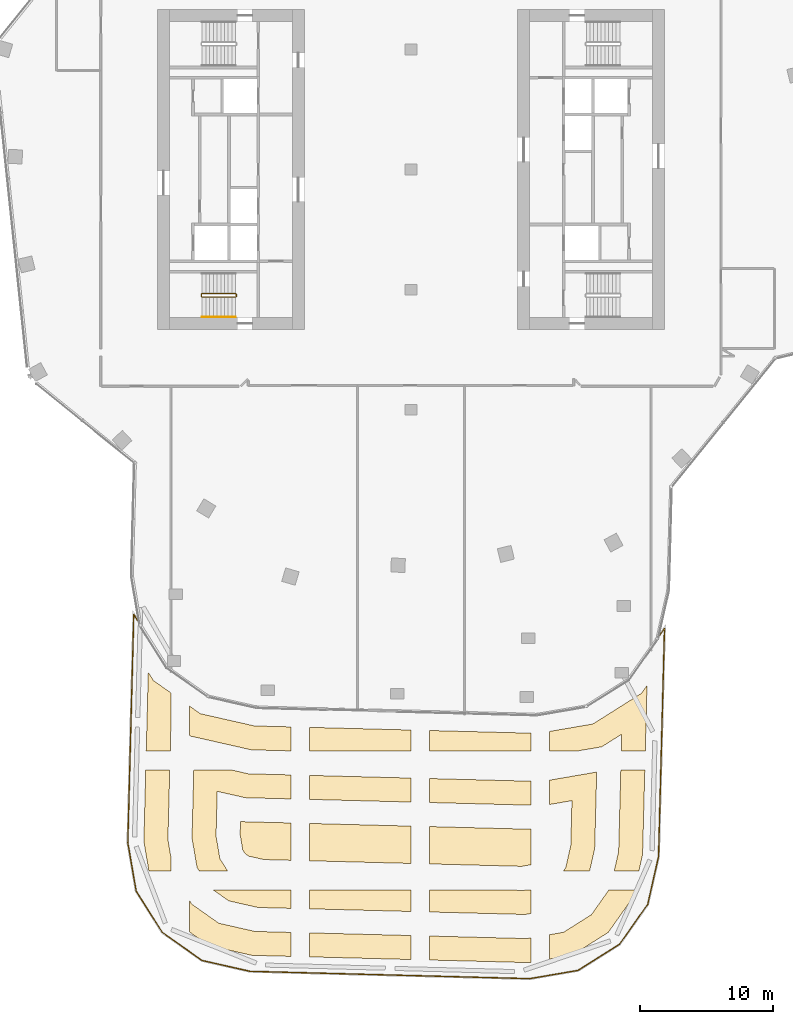
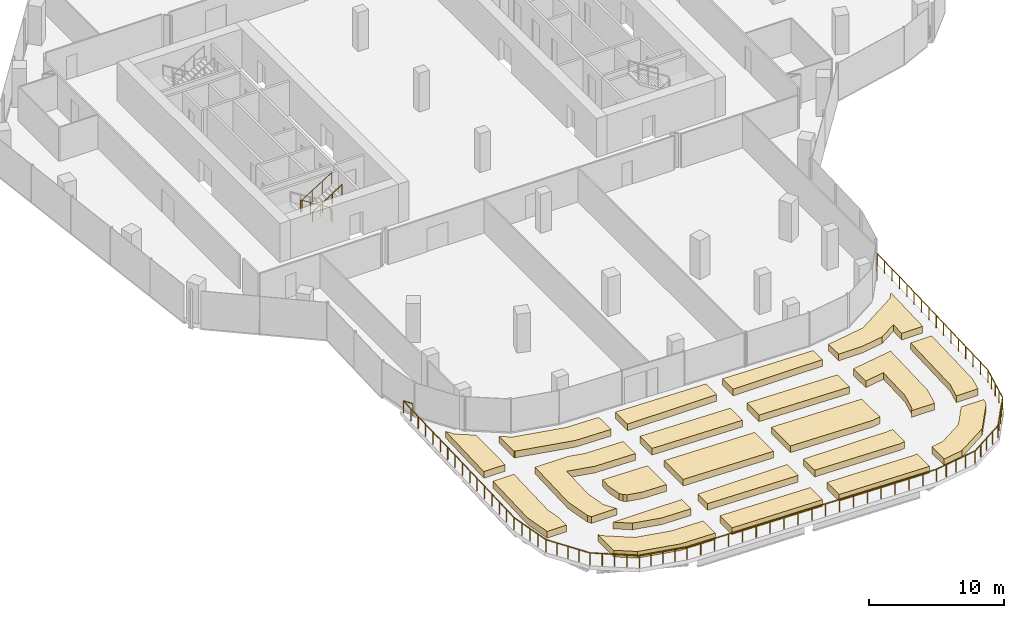
# One storey, part 22 of 25: 21 coverings, 3 railings.
"""IFC4 building model written with IfcOpenShell, lengths in metres."""

from ifc_helpers import new_model, si_unit, direction, frame, origin, origin_2d, place, context, subcontext, project, spatial, polyline, circle, outline, extrude, material, layer, layer_set, type_object, element, save


model = new_model("IFC4")

# Units and contexts
model_context = context("Model", 3, precision=1e-05, world=origin(), true_north=direction((0.0, 1.0)))
body_context = subcontext(model_context, "Body", "Model", "MODEL_VIEW")
ifc_project = project(units=[si_unit("LENGTHUNIT", "METRE"), si_unit("AREAUNIT", "SQUARE_METRE"), si_unit("VOLUMEUNIT", "CUBIC_METRE"), si_unit("PLANEANGLEUNIT", "RADIAN"), si_unit("MASSUNIT", "GRAM", prefix="KILO")], contexts=[model_context])

# Site, building, storey
site_placement = place(None, origin())
site = spatial("IfcSite", under=ifc_project, at=site_placement, CompositionType="ELEMENT")
building_placement = place(site_placement, origin())
building = spatial("IfcBuilding", under=site, at=building_placement, Name="Orlundy Tower", CompositionType="ELEMENT")
storey_placement = place(building_placement, frame((0.0, 0.0, 217.5)))
storey = spatial("IfcBuildingStorey", under=building, at=storey_placement, Name="L57", CompositionType="ELEMENT", Elevation=217.5)

# Coverings
ifc_material_1 = material(Name="Planted soil in precast concrete trough", Category="concrete")
ifc_layer = layer(ifc_material_1, 0.60009765625)
ifc_layer_set = layer_set([ifc_layer], Name="PLANTER box")
covering_type = type_object("IfcCoveringType", Name="PLANTER box", PredefinedType="USERDEFINED", material=ifc_layer_set)
covering_1_placement = place(storey_placement, origin())
element("IfcCovering", 1, at=covering_1_placement, inside=storey, type_object=covering_type, Name="PLANTER L57-00", ObjectType="PLANTER", PredefinedType="USERDEFINED", context=body_context, shape_type="SweptSolid", body=[
    extrude(outline(polyline([(-20.02490234375, -50.364990234375), (-19.884033203125, -45.0), (-18.083984375, -45.0), (-18.220947265625, -50.235107421875), (-18.0, -51.52294921875), (-18.0, -52.60009765625), (-19.64111328125, -52.60009765625), (-20.02490234375, -50.364990234375)])), origin(), (0.0, 0.0, 1.0), 0.60009765625),
])
covering_2_placement = place(storey_placement, origin())
element("IfcCovering", 2, at=covering_2_placement, inside=storey, type_object=covering_type, Name="PLANTER L57-01", ObjectType="PLANTER", PredefinedType="USERDEFINED", context=body_context, shape_type="SweptSolid", body=[
    extrude(outline(polyline([(-19.693115234375, -37.696044921875), (-19.30810546875, -38.306884765625), (-18.0, -39.23095703125), (-18.0, -41.785888671875), (-18.047119140625, -43.60009765625), (-19.847900390625, -43.60009765625), (-19.693115234375, -37.696044921875)])), origin(), (0.0, 0.0, 1.0), 0.60009765625),
])
covering_3_placement = place(storey_placement, origin())
element("IfcCovering", 3, at=covering_3_placement, inside=storey, type_object=covering_type, Name="PLANTER L57-02", ObjectType="PLANTER", PredefinedType="USERDEFINED", context=body_context, shape_type="SweptSolid", body=[
    extrude(outline(polyline([(-11.9189453125, -58.907958984375), (-15.156005859375, -58.175048828125), (-16.60009765625, -57.155029296875), (-16.60009765625, -54.802001953125), (-16.429931640625, -55.072021484375), (-14.409912109375, -56.498046875), (-11.695068359375, -57.113037109375), (-9.0, -57.18408203125), (-9.0, -58.98388671875), (-11.9189453125, -58.907958984375)])), origin(), (0.0, 0.0, 1.0), 0.60009765625),
])
covering_4_placement = place(storey_placement, origin())
element("IfcCovering", 4, at=covering_4_placement, inside=storey, type_object=covering_type, Name="PLANTER L57-03", ObjectType="PLANTER", PredefinedType="USERDEFINED", context=body_context, shape_type="SweptSolid", body=[
    extrude(outline(polyline([(-15.7939453125, -40.7900390625), (-11.743896484375, -41.70703125), (-9.0, -41.779052734375), (-9.0, -43.580078125), (-11.968017578125, -43.501953125), (-16.5400390625, -42.467041015625), (-16.60009765625, -42.425048828125), (-16.60009765625, -40.219970703125), (-15.7939453125, -40.7900390625)])), origin(), (0.0, 0.0, 1.0), 0.60009765625),
])
covering_5_placement = place(storey_placement, origin())
element("IfcCovering", 5, at=covering_5_placement, inside=storey, type_object=covering_type, Name="PLANTER L57-04", ObjectType="PLANTER", PredefinedType="USERDEFINED", context=body_context, shape_type="SweptSolid", body=[
    extrude(outline(polyline([(0.0, -42.013916015625), (0.0, -43.60009765625), (-7.60009765625, -43.60009765625), (-7.60009765625, -41.81494140625), (0.0, -42.013916015625)])), origin(), (0.0, 0.0, 1.0), 0.60009765625),
])
covering_6_placement = place(storey_placement, origin())
element("IfcCovering", 6, at=covering_6_placement, inside=storey, type_object=covering_type, Name="PLANTER L57-05", ObjectType="PLANTER", PredefinedType="USERDEFINED", context=body_context, shape_type="SweptSolid", body=[
    extrude(outline(polyline([(-7.60009765625, -59.02099609375), (-7.60009765625, -57.219970703125), (0.0, -57.4189453125), (0.0, -59.219970703125), (-7.60009765625, -59.02099609375)])), origin(), (0.0, 0.0, 1.0), 0.60009765625),
])
covering_7_placement = place(storey_placement, origin())
element("IfcCovering", 7, at=covering_7_placement, inside=storey, type_object=covering_type, Name="PLANTER L57-06", ObjectType="PLANTER", PredefinedType="USERDEFINED", context=body_context, shape_type="SweptSolid", body=[
    extrude(outline(polyline([(9.0, -42.25), (9.0, -43.60009765625), (1.39990234375, -43.60009765625), (1.39990234375, -42.051025390625), (9.0, -42.25)])), origin(), (0.0, 0.0, 1.0), 0.60009765625),
])
covering_8_placement = place(storey_placement, origin())
element("IfcCovering", 8, at=covering_8_placement, inside=storey, type_object=covering_type, Name="PLANTER L57-07", ObjectType="PLANTER", PredefinedType="USERDEFINED", context=body_context, shape_type="SweptSolid", body=[
    extrude(outline(polyline([(8.819091796875, -59.450927734375), (1.39990234375, -59.257080078125), (1.39990234375, -57.4560546875), (8.68896484375, -57.64697265625), (9.0, -57.593994140625), (9.0, -59.419921875), (8.819091796875, -59.450927734375)])), origin(), (0.0, 0.0, 1.0), 0.60009765625),
])
covering_9_placement = place(storey_placement, origin())
element("IfcCovering", 9, at=covering_9_placement, inside=storey, type_object=covering_type, Name="PLANTER L57-08", ObjectType="PLANTER", PredefinedType="USERDEFINED", context=body_context, shape_type="SweptSolid", body=[
    extrude(outline(polyline([(14.7890625, -57.18701171875), (12.091064453125, -58.888916015625), (10.39990234375, -59.178955078125), (10.39990234375, -57.35302734375), (11.43310546875, -57.176025390625), (13.52587890625, -55.85595703125), (14.8359375, -54.0), (16.760986328125, -54.0), (16.62890625, -54.58203125), (14.7890625, -57.18701171875)])), origin(), (0.0, 0.0, 1.0), 0.60009765625),
])
covering_10_placement = place(storey_placement, origin())
element("IfcCovering", 10, at=covering_10_placement, inside=storey, type_object=covering_type, Name="PLANTER L57-09", ObjectType="PLANTER", PredefinedType="USERDEFINED", context=body_context, shape_type="SweptSolid", body=[
    extrude(outline(polyline([(13.636962890625, -41.56103515625), (17.277099609375, -39.263916015625), (17.693115234375, -38.676025390625), (17.56396484375, -43.60009765625), (15.763916015625, -43.60009765625), (15.797119140625, -42.325927734375), (14.294921875, -43.27392578125), (12.39794921875, -43.60009765625), (10.39990234375, -43.60009765625), (10.39990234375, -42.116943359375), (13.636962890625, -41.56103515625)])), origin(), (0.0, 0.0, 1.0), 0.60009765625),
])
covering_11_placement = place(storey_placement, origin())
element("IfcCovering", 11, at=covering_11_placement, inside=storey, type_object=covering_type, Name="PLANTER L57-010", ObjectType="PLANTER", PredefinedType="USERDEFINED", context=body_context, shape_type="SweptSolid", body=[
    extrude(outline(polyline([(17.362060546875, -51.344970703125), (17.077880859375, -52.60009765625), (15.23193359375, -52.60009765625), (15.56689453125, -51.12109375), (15.72705078125, -45.0), (17.528076171875, -45.0), (17.362060546875, -51.344970703125)])), origin(), (0.0, 0.0, 1.0), 0.60009765625),
])
covering_12_placement = place(storey_placement, origin())
element("IfcCovering", 12, at=covering_12_placement, inside=storey, type_object=covering_type, Name="PLANTER L57-011", ObjectType="PLANTER", PredefinedType="USERDEFINED", context=body_context, shape_type="SweptSolid", body=[
    extrude(outline(polyline([(-9.0, -45.3798828125), (-9.0, -47.179931640625), (-12.4169921875, -47.091064453125), (-14.52490234375, -46.614013671875), (-14.613037109375, -49.97509765625), (-14.322998046875, -51.6640625), (-13.76708984375, -52.544921875), (-13.68896484375, -52.60009765625), (-15.861083984375, -52.60009765625), (-16.035888671875, -52.322021484375), (-16.4169921875, -50.10498046875), (-16.282958984375, -45.0), (-13.5009765625, -45.0), (-12.193115234375, -45.2958984375), (-9.0, -45.3798828125)])), origin(), (0.0, 0.0, 1.0), 0.60009765625),
])
covering_13_placement = place(storey_placement, origin())
element("IfcCovering", 13, at=covering_13_placement, inside=storey, type_object=covering_type, Name="PLANTER L57-012", ObjectType="PLANTER", PredefinedType="USERDEFINED", context=body_context, shape_type="SweptSolid", body=[
    extrude(outline(polyline([(-11.469970703125, -55.319091796875), (-13.6630859375, -54.822021484375), (-14.826904296875, -54.0), (-9.0, -54.0), (-9.0, -55.384033203125), (-11.469970703125, -55.319091796875)])), origin(), (0.0, 0.0, 1.0), 0.60009765625),
])
covering_14_placement = place(storey_placement, origin())
element("IfcCovering", 14, at=covering_14_placement, inside=storey, type_object=covering_type, Name="PLANTER L57-013", ObjectType="PLANTER", PredefinedType="USERDEFINED", context=body_context, shape_type="SweptSolid", body=[
    extrude(outline(polyline([(0.0, -45.614990234375), (0.0, -47.416015625), (-7.60009765625, -47.217041015625), (-7.60009765625, -45.416015625), (0.0, -45.614990234375)])), origin(), (0.0, 0.0, 1.0), 0.60009765625),
])
covering_15_placement = place(storey_placement, origin())
element("IfcCovering", 15, at=covering_15_placement, inside=storey, type_object=covering_type, Name="PLANTER L57-014", ObjectType="PLANTER", PredefinedType="USERDEFINED", context=body_context, shape_type="SweptSolid", body=[
    extrude(outline(polyline([(-7.60009765625, -55.419921875), (-7.60009765625, -54.0), (0.0, -54.0), (0.0, -55.618896484375), (-7.60009765625, -55.419921875)])), origin(), (0.0, 0.0, 1.0), 0.60009765625),
])
covering_16_placement = place(storey_placement, origin())
element("IfcCovering", 16, at=covering_16_placement, inside=storey, type_object=covering_type, Name="PLANTER L57-015", ObjectType="PLANTER", PredefinedType="USERDEFINED", context=body_context, shape_type="SweptSolid", body=[
    extrude(outline(polyline([(9.0, -45.85107421875), (9.0, -47.652099609375), (1.39990234375, -47.452880859375), (1.39990234375, -45.652099609375), (9.0, -45.85107421875)])), origin(), (0.0, 0.0, 1.0), 0.60009765625),
])
covering_17_placement = place(storey_placement, origin())
element("IfcCovering", 17, at=covering_17_placement, inside=storey, type_object=covering_type, Name="PLANTER L57-016", ObjectType="PLANTER", PredefinedType="USERDEFINED", context=body_context, shape_type="SweptSolid", body=[
    extrude(outline(polyline([(8.55908203125, -55.843017578125), (1.39990234375, -55.656005859375), (1.39990234375, -54.0), (6.93896484375, -54.0), (8.428955078125, -54.0390625), (8.656005859375, -54.0), (9.0, -54.0), (9.0, -55.76708984375), (8.55908203125, -55.843017578125)])), origin(), (0.0, 0.0, 1.0), 0.60009765625),
])
covering_18_placement = place(storey_placement, origin())
element("IfcCovering", 18, at=covering_18_placement, inside=storey, type_object=covering_type, Name="PLANTER L57-017", ObjectType="PLANTER", PredefinedType="USERDEFINED", context=body_context, shape_type="SweptSolid", body=[
    extrude(outline(polyline([(13.922119140625, -45.1650390625), (13.77197265625, -50.89599609375), (13.386962890625, -52.60009765625), (11.41796875, -52.60009765625), (11.59912109375, -52.343017578125), (11.97802734375, -50.672119140625), (12.06591796875, -47.31005859375), (10.39990234375, -47.595947265625), (10.39990234375, -45.77001953125), (13.922119140625, -45.1650390625)])), origin(), (0.0, 0.0, 1.0), 0.60009765625),
])
covering_19_placement = place(storey_placement, origin())
element("IfcCovering", 19, at=covering_19_placement, inside=storey, type_object=covering_type, Name="PLANTER L57-018", ObjectType="PLANTER", PredefinedType="USERDEFINED", context=body_context, shape_type="SweptSolid", body=[
    extrude(outline(polyline([(-12.64208984375, -48.885986328125), (-9.0, -48.98095703125), (-9.0, -51.781982421875), (-11.02099609375, -51.72900390625), (-12.1708984375, -51.468994140625), (-12.43603515625, -51.281005859375), (-12.60888671875, -51.007080078125), (-12.80908203125, -49.844970703125), (-12.782958984375, -48.85400390625), (-12.64208984375, -48.885986328125)])), origin(), (0.0, 0.0, 1.0), 0.60009765625),
])
covering_20_placement = place(storey_placement, origin())
element("IfcCovering", 20, at=covering_20_placement, inside=storey, type_object=covering_type, Name="PLANTER L57-019", ObjectType="PLANTER", PredefinedType="USERDEFINED", context=body_context, shape_type="SweptSolid", body=[
    extrude(outline(polyline([(0.0, -49.217041015625), (0.0, -52.01806640625), (-7.60009765625, -51.819091796875), (-7.60009765625, -49.01806640625), (0.0, -49.217041015625)])), origin(), (0.0, 0.0, 1.0), 0.60009765625),
])
covering_21_placement = place(storey_placement, origin())
element("IfcCovering", 21, at=covering_21_placement, inside=storey, type_object=covering_type, Name="PLANTER L57-020", ObjectType="PLANTER", PredefinedType="USERDEFINED", context=body_context, shape_type="SweptSolid", body=[
    extrude(outline(polyline([(9.0, -49.451904296875), (9.0, -52.114013671875), (8.299072265625, -52.235107421875), (1.39990234375, -52.053955078125), (1.39990234375, -49.2529296875), (9.0, -49.451904296875)])), origin(), (0.0, 0.0, 1.0), 0.60009765625),
])

# Railings
ifc_material_2 = material(Name="Steel balustrade", Category="steel")
railing_type_1 = type_object("IfcRailingType", Name="Stair Guard 1100", PredefinedType="GUARDRAIL", material=ifc_material_2)
railing_1_placement = place(storey_placement, frame((-13.090087890625, -9.35009765625, 0.0)))
element("IfcRailing", 22, at=railing_1_placement, inside=storey, type_object=railing_type_1, Name="L57 ST-W2 stair guard 1", PredefinedType="GUARDRAIL", context=body_context, shape_type="SweptSolid", body=[
    extrude(circle(Radius=0.02392578125, at=origin_2d()), frame((0.0, 0.0, 1.076171875), z_axis=(0.0, -1.0, 0.0), x_axis=(1.0, 0.0, 0.0)), (0.0, 0.0, 1.0), 0.14990234375),
    extrude(circle(Radius=0.02392578125, at=origin_2d()), frame((0.0, -0.14990234375, 1.076171875), z_axis=(-0.18420542264, 0.739530593833, 0.647427882513), x_axis=(-0.970351222016, -0.241699205484, 0.0)), (0.0, 0.0, 1.0), 0.270263671875),
    extrude(circle(Radius=0.02392578125, at=origin_2d()), frame((-0.0498046875, 0.050048828125, 1.2509765625), z_axis=(-0.848007534815, 0.0, 0.529984170421), x_axis=(0.0, -1.0, 0.0)), (0.0, 0.0, 1.0), 2.9716796875),
    extrude(circle(Radius=0.02392578125, at=origin_2d()), frame((-2.56982421875, 0.050048828125, 2.826171875), z_axis=(-0.707106781187, -0.707106781187, 0.0), x_axis=(0.707106781187, -0.707106781187, 0.0)), (0.0, 0.0, 1.0), 0.07080078125),
    extrude(circle(Radius=0.02392578125, at=origin_2d()), frame((-2.619873046875, 0.0, 2.826171875), z_axis=(0.0, -1.0, 0.0), x_axis=(1.0, 0.0, 0.0)), (0.0, 0.0, 1.0), 0.14990234375),
    extrude(circle(Radius=0.02392578125, at=origin_2d()), frame((-2.619873046875, -0.14990234375, 2.826171875), z_axis=(0.265065253269, -0.265065253269, 0.927081885822), x_axis=(0.707106781187, 0.707106781187, 0.0)), (0.0, 0.0, 1.0), 0.188720703125),
    extrude(circle(Radius=0.02392578125, at=origin_2d()), frame((-2.56982421875, -0.199951171875, 3.0009765625), z_axis=(0.848007534815, 0.0, 0.529984170421), x_axis=(0.0, 1.0, 0.0)), (0.0, 0.0, 1.0), 2.9716796875),
    extrude(circle(Radius=0.02099609375, at=origin_2d()), origin(), (0.0, 0.0, 1.0), 1.052001953125),
    extrude(circle(Radius=0.02099609375, at=origin_2d()), frame((0.0, -0.14990234375, 0.0)), (0.0, 0.0, 1.0), 1.052001953125),
    extrude(circle(Radius=0.02099609375, at=origin_2d()), frame((-0.0498046875, 0.050048828125, 0.175048828125)), (0.0, 0.0, 1.0), 1.052001953125),
    extrude(circle(Radius=0.02099609375, at=origin_2d()), frame((-0.889892578125, 0.050048828125, 0.699951171875)), (0.0, 0.0, 1.0), 1.052001953125),
    extrude(circle(Radius=0.02099609375, at=origin_2d()), frame((-1.729736328125, 0.050048828125, 1.22509765625)), (0.0, 0.0, 1.0), 1.052001953125),
    extrude(circle(Radius=0.02099609375, at=origin_2d()), frame((-2.56982421875, 0.050048828125, 1.75)), (0.0, 0.0, 1.0), 1.052001953125),
    extrude(circle(Radius=0.02099609375, at=origin_2d()), frame((-2.619873046875, 0.0, 1.75)), (0.0, 0.0, 1.0), 1.052001953125),
    extrude(circle(Radius=0.02099609375, at=origin_2d()), frame((-2.619873046875, -0.14990234375, 1.75)), (0.0, 0.0, 1.0), 1.052001953125),
    extrude(circle(Radius=0.02099609375, at=origin_2d()), frame((-2.56982421875, -0.199951171875, 1.925048828125)), (0.0, 0.0, 1.0), 1.052001953125),
    extrude(circle(Radius=0.02099609375, at=origin_2d()), frame((-1.729736328125, -0.199951171875, 2.449951171875)), (0.0, 0.0, 1.0), 1.052001953125),
    extrude(circle(Radius=0.02099609375, at=origin_2d()), frame((-0.889892578125, -0.199951171875, 2.97509765625)), (0.0, 0.0, 1.0), 1.052001953125),
    extrude(circle(Radius=0.02099609375, at=origin_2d()), frame((-0.0498046875, -0.199951171875, 3.5)), (0.0, 0.0, 1.0), 1.052001953125),
])
ifc_material_3 = material(Name="Steel handrail", Category="steel")
railing_type_2 = type_object("IfcRailingType", Name="Stair Handrail 900", PredefinedType="HANDRAIL", material=ifc_material_3)
railing_2_placement = place(storey_placement, frame((-15.659912109375, -11.050048828125, 1.925048828125)))
element("IfcRailing", 23, at=railing_2_placement, inside=storey, type_object=railing_type_2, Name="L57 ST-W2 stair handrail 2", PredefinedType="HANDRAIL", context=body_context, shape_type="SweptSolid", body=[
    extrude(circle(Radius=0.02392578125, at=origin_2d()), frame((0.0, 0.0, 0.8759765625), z_axis=(0.848007534815, 0.0, 0.529984170421), x_axis=(0.0, 1.0, 0.0)), (0.0, 0.0, 1.0), 2.9716796875),
    extrude(circle(Radius=0.02099609375, at=origin_2d()), origin(), (0.0, 0.0, 1.0), 0.851806640625),
    extrude(circle(Radius=0.02099609375, at=origin_2d()), frame((0.840087890625, 0.0, 0.52490234375)), (0.0, 0.0, 1.0), 0.851806640625),
    extrude(circle(Radius=0.02099609375, at=origin_2d()), frame((1.679931640625, 0.0, 1.050048828125)), (0.0, 0.0, 1.0), 0.851806640625),
    extrude(circle(Radius=0.02099609375, at=origin_2d()), frame((2.52001953125, 0.0, 1.574951171875)), (0.0, 0.0, 1.0), 0.851806640625),
])
ifc_material_4 = material(Name="Stainless steel bronze finish", Category="steel")
railing_type_3 = type_object("IfcRailingType", Name="TG1 terrace guard", PredefinedType="GUARDRAIL", material=ifc_material_4)
railing_3_placement = place(storey_placement, frame((18.547119140625, -35.04345703125, 0.0)))
element("IfcRailing", 24, at=railing_3_placement, inside=storey, type_object=railing_type_3, Name="Guard TG-L57-00", PredefinedType="GUARDRAIL", context=body_context, shape_type="SweptSolid", body=[
    extrude(circle(Radius=0.02490234375, at=origin_2d()), frame((0.0, 0.0, 1.09521484375), z_axis=(0.577299530639, 0.816532456136, 0.0), x_axis=(-0.816532456136, 0.577299530639, 0.0)), (0.0, 0.0, 1.0), 0.79296875),
    extrude(circle(Radius=0.02490234375, at=origin_2d()), frame((0.457763671875, 0.6474609375, 1.09521484375), z_axis=(-0.026119758449, -0.999658820908, 0.0), x_axis=(0.999658820908, -0.026119758449, 0.0)), (0.0, 0.0, 1.0), 17.10498046875),
    extrude(circle(Radius=0.02490234375, at=origin_2d()), frame((0.010986328125, -16.45166015625, 1.09521484375), z_axis=(-0.220656364615, -0.975351612884, 0.0), x_axis=(0.975351612884, -0.220656364615, 0.0)), (0.0, 0.0, 1.0), 3.675537109375),
    extrude(circle(Radius=0.02490234375, at=origin_2d()), frame((-0.800048828125, -20.03662109375, 1.09521484375), z_axis=(-0.577161553278, -0.816629990521, 0.0), x_axis=(0.816629990521, -0.577161553278, 0.0)), (0.0, 0.0, 1.0), 3.666259765625),
    extrude(circle(Radius=0.02490234375, at=origin_2d()), frame((-2.916015625, -23.030517578125, 1.09521484375), z_axis=(-0.845754524702, -0.533572191879, 0.0), x_axis=(0.533572191879, -0.845754524702, 0.0)), (0.0, 0.0, 1.0), 3.667724609375),
    extrude(circle(Radius=0.02490234375, at=origin_2d()), frame((-6.01806640625, -24.987548828125, 1.09521484375), z_axis=(-0.985533642405, -0.169479909395, 0.0), x_axis=(0.169479909395, -0.985533642405, 0.0)), (0.0, 0.0, 1.0), 3.67626953125),
    extrude(circle(Radius=0.02490234375, at=origin_2d()), frame((-9.64111328125, -25.610595703125, 1.09521484375), z_axis=(-0.999656330823, 0.026214885971, 0.0), x_axis=(-0.026214885971, -0.999656330823, 0.0)), (0.0, 0.0, 1.0), 20.982421875),
    extrude(circle(Radius=0.02490234375, at=origin_2d()), frame((-30.6162109375, -25.060546875, 1.09521484375), z_axis=(-0.975351612884, 0.220656364615, 0.0), x_axis=(-0.220656364615, -0.975351612884, 0.0)), (0.0, 0.0, 1.0), 3.675537109375),
    extrude(circle(Radius=0.02490234375, at=origin_2d()), frame((-34.201171875, -24.24951171875, 1.09521484375), z_axis=(-0.816629990521, 0.577161553278, 0.0), x_axis=(-0.577161553278, -0.816629990521, 0.0)), (0.0, 0.0, 1.0), 3.666259765625),
    extrude(circle(Radius=0.02490234375, at=origin_2d()), frame((-37.195068359375, -22.133544921875, 1.09521484375), z_axis=(-0.533572191879, 0.845754524702, 0.0), x_axis=(-0.845754524702, -0.533572191879, 0.0)), (0.0, 0.0, 1.0), 3.667724609375),
    extrude(circle(Radius=0.02490234375, at=origin_2d()), frame((-39.152099609375, -19.031494140625, 1.09521484375), z_axis=(-0.169479909395, 0.985533642405, 0.0), x_axis=(-0.985533642405, -0.169479909395, 0.0)), (0.0, 0.0, 1.0), 3.67626953125),
    extrude(circle(Radius=0.02490234375, at=origin_2d()), frame((-39.775146484375, -15.408447265625, 1.09521484375), z_axis=(0.026189953973, 0.999656984326, 0.0), x_axis=(-0.999656984326, 0.026189953973, 0.0)), (0.0, 0.0, 1.0), 17.105712890625),
    extrude(circle(Radius=0.02490234375, at=origin_2d()), frame((-39.3271484375, 1.69140625, 1.09521484375), z_axis=(0.533935297282, -0.84552533866, 0.0), x_axis=(0.84552533866, 0.533935297282, 0.0)), (0.0, 0.0, 1.0), 0.796142578125),
    extrude(circle(Radius=0.02001953125, at=origin_2d()), origin(), (0.0, 0.0, 1.0), 1.070068359375),
    extrude(circle(Radius=0.02001953125, at=origin_2d()), frame((0.457763671875, 0.6474609375, 0.0)), (0.0, 0.0, 1.0), 1.070068359375),
    extrude(circle(Radius=0.02001953125, at=origin_2d()), frame((0.427978515625, -0.492431640625, 0.0)), (0.0, 0.0, 1.0), 1.070068359375),
    extrude(circle(Radius=0.02001953125, at=origin_2d()), frame((0.398193359375, -1.63232421875, 0.0)), (0.0, 0.0, 1.0), 1.070068359375),
    extrude(circle(Radius=0.02001953125, at=origin_2d()), frame((0.368408203125, -2.7724609375, 0.0)), (0.0, 0.0, 1.0), 1.070068359375),
    extrude(circle(Radius=0.02001953125, at=origin_2d()), frame((0.338623046875, -3.912353515625, 0.0)), (0.0, 0.0, 1.0), 1.070068359375),
    extrude(circle(Radius=0.02001953125, at=origin_2d()), frame((0.308837890625, -5.05224609375, 0.0)), (0.0, 0.0, 1.0), 1.070068359375),
    extrude(circle(Radius=0.02001953125, at=origin_2d()), frame((0.279052734375, -6.192138671875, 0.0)), (0.0, 0.0, 1.0), 1.070068359375),
    extrude(circle(Radius=0.02001953125, at=origin_2d()), frame((0.249267578125, -7.33203125, 0.0)), (0.0, 0.0, 1.0), 1.070068359375),
    extrude(circle(Radius=0.02001953125, at=origin_2d()), frame((0.219482421875, -8.47216796875, 0.0)), (0.0, 0.0, 1.0), 1.070068359375),
    extrude(circle(Radius=0.02001953125, at=origin_2d()), frame((0.189697265625, -9.612060546875, 0.0)), (0.0, 0.0, 1.0), 1.070068359375),
    extrude(circle(Radius=0.02001953125, at=origin_2d()), frame((0.159912109375, -10.751953125, 0.0)), (0.0, 0.0, 1.0), 1.070068359375),
    extrude(circle(Radius=0.02001953125, at=origin_2d()), frame((0.130126953125, -11.891845703125, 0.0)), (0.0, 0.0, 1.0), 1.070068359375),
    extrude(circle(Radius=0.02001953125, at=origin_2d()), frame((0.100341796875, -13.03173828125, 0.0)), (0.0, 0.0, 1.0), 1.070068359375),
    extrude(circle(Radius=0.02001953125, at=origin_2d()), frame((0.070556640625, -14.171875, 0.0)), (0.0, 0.0, 1.0), 1.070068359375),
    extrude(circle(Radius=0.02001953125, at=origin_2d()), frame((0.040771484375, -15.311767578125, 0.0)), (0.0, 0.0, 1.0), 1.070068359375),
    extrude(circle(Radius=0.02001953125, at=origin_2d()), frame((0.010986328125, -16.45166015625, 0.0)), (0.0, 0.0, 1.0), 1.070068359375),
    extrude(circle(Radius=0.02001953125, at=origin_2d()), frame((-0.19189453125, -17.347900390625, 0.0)), (0.0, 0.0, 1.0), 1.070068359375),
    extrude(circle(Radius=0.02001953125, at=origin_2d()), frame((-0.39453125, -18.244140625, 0.0)), (0.0, 0.0, 1.0), 1.070068359375),
    extrude(circle(Radius=0.02001953125, at=origin_2d()), frame((-0.59716796875, -19.140380859375, 0.0)), (0.0, 0.0, 1.0), 1.070068359375),
    extrude(circle(Radius=0.02001953125, at=origin_2d()), frame((-0.800048828125, -20.03662109375, 0.0)), (0.0, 0.0, 1.0), 1.070068359375),
    extrude(circle(Radius=0.02001953125, at=origin_2d()), frame((-1.3291015625, -20.78515625, 0.0)), (0.0, 0.0, 1.0), 1.070068359375),
    extrude(circle(Radius=0.02001953125, at=origin_2d()), frame((-1.85791015625, -21.53369140625, 0.0)), (0.0, 0.0, 1.0), 1.070068359375),
    extrude(circle(Radius=0.02001953125, at=origin_2d()), frame((-2.386962890625, -22.281982421875, 0.0)), (0.0, 0.0, 1.0), 1.070068359375),
    extrude(circle(Radius=0.02001953125, at=origin_2d()), frame((-2.916015625, -23.030517578125, 0.0)), (0.0, 0.0, 1.0), 1.070068359375),
    extrude(circle(Radius=0.02001953125, at=origin_2d()), frame((-3.69140625, -23.519775390625, 0.0)), (0.0, 0.0, 1.0), 1.070068359375),
    extrude(circle(Radius=0.02001953125, at=origin_2d()), frame((-4.467041015625, -24.009033203125, 0.0)), (0.0, 0.0, 1.0), 1.070068359375),
    extrude(circle(Radius=0.02001953125, at=origin_2d()), frame((-5.24267578125, -24.498291015625, 0.0)), (0.0, 0.0, 1.0), 1.070068359375),
    extrude(circle(Radius=0.02001953125, at=origin_2d()), frame((-6.01806640625, -24.987548828125, 0.0)), (0.0, 0.0, 1.0), 1.070068359375),
    extrude(circle(Radius=0.02001953125, at=origin_2d()), frame((-6.923828125, -25.143310546875, 0.0)), (0.0, 0.0, 1.0), 1.070068359375),
    extrude(circle(Radius=0.02001953125, at=origin_2d()), frame((-7.82958984375, -25.299072265625, 0.0)), (0.0, 0.0, 1.0), 1.070068359375),
    extrude(circle(Radius=0.02001953125, at=origin_2d()), frame((-8.7353515625, -25.454833984375, 0.0)), (0.0, 0.0, 1.0), 1.070068359375),
    extrude(circle(Radius=0.02001953125, at=origin_2d()), frame((-9.64111328125, -25.610595703125, 0.0)), (0.0, 0.0, 1.0), 1.070068359375),
    extrude(circle(Radius=0.02001953125, at=origin_2d()), frame((-10.806396484375, -25.580078125, 0.0)), (0.0, 0.0, 1.0), 1.070068359375),
    extrude(circle(Radius=0.02001953125, at=origin_2d()), frame((-11.9716796875, -25.549560546875, 0.0)), (0.0, 0.0, 1.0), 1.070068359375),
    extrude(circle(Radius=0.02001953125, at=origin_2d()), frame((-13.136962890625, -25.51904296875, 0.0)), (0.0, 0.0, 1.0), 1.070068359375),
    extrude(circle(Radius=0.02001953125, at=origin_2d()), frame((-14.30224609375, -25.48828125, 0.0)), (0.0, 0.0, 1.0), 1.070068359375),
    extrude(circle(Radius=0.02001953125, at=origin_2d()), frame((-15.467529296875, -25.457763671875, 0.0)), (0.0, 0.0, 1.0), 1.070068359375),
    extrude(circle(Radius=0.02001953125, at=origin_2d()), frame((-16.6328125, -25.42724609375, 0.0)), (0.0, 0.0, 1.0), 1.070068359375),
    extrude(circle(Radius=0.02001953125, at=origin_2d()), frame((-17.798095703125, -25.396728515625, 0.0)), (0.0, 0.0, 1.0), 1.070068359375),
    extrude(circle(Radius=0.02001953125, at=origin_2d()), frame((-18.96337890625, -25.3662109375, 0.0)), (0.0, 0.0, 1.0), 1.070068359375),
    extrude(circle(Radius=0.02001953125, at=origin_2d()), frame((-20.128662109375, -25.33544921875, 0.0)), (0.0, 0.0, 1.0), 1.070068359375),
    extrude(circle(Radius=0.02001953125, at=origin_2d()), frame((-21.2939453125, -25.304931640625, 0.0)), (0.0, 0.0, 1.0), 1.070068359375),
    extrude(circle(Radius=0.02001953125, at=origin_2d()), frame((-22.459228515625, -25.2744140625, 0.0)), (0.0, 0.0, 1.0), 1.070068359375),
    extrude(circle(Radius=0.02001953125, at=origin_2d()), frame((-23.62451171875, -25.243896484375, 0.0)), (0.0, 0.0, 1.0), 1.070068359375),
    extrude(circle(Radius=0.02001953125, at=origin_2d()), frame((-24.789794921875, -25.21337890625, 0.0)), (0.0, 0.0, 1.0), 1.070068359375),
    extrude(circle(Radius=0.02001953125, at=origin_2d()), frame((-25.955078125, -25.182861328125, 0.0)), (0.0, 0.0, 1.0), 1.070068359375),
    extrude(circle(Radius=0.02001953125, at=origin_2d()), frame((-27.120361328125, -25.15234375, 0.0)), (0.0, 0.0, 1.0), 1.070068359375),
    extrude(circle(Radius=0.02001953125, at=origin_2d()), frame((-28.28564453125, -25.12158203125, 0.0)), (0.0, 0.0, 1.0), 1.070068359375),
    extrude(circle(Radius=0.02001953125, at=origin_2d()), frame((-29.450927734375, -25.091064453125, 0.0)), (0.0, 0.0, 1.0), 1.070068359375),
    extrude(circle(Radius=0.02001953125, at=origin_2d()), frame((-30.6162109375, -25.060546875, 0.0)), (0.0, 0.0, 1.0), 1.070068359375),
    extrude(circle(Radius=0.02001953125, at=origin_2d()), frame((-31.512451171875, -24.85791015625, 0.0)), (0.0, 0.0, 1.0), 1.070068359375),
    extrude(circle(Radius=0.02001953125, at=origin_2d()), frame((-32.40869140625, -24.655029296875, 0.0)), (0.0, 0.0, 1.0), 1.070068359375),
    extrude(circle(Radius=0.02001953125, at=origin_2d()), frame((-33.304931640625, -24.4521484375, 0.0)), (0.0, 0.0, 1.0), 1.070068359375),
    extrude(circle(Radius=0.02001953125, at=origin_2d()), frame((-34.201171875, -24.24951171875, 0.0)), (0.0, 0.0, 1.0), 1.070068359375),
    extrude(circle(Radius=0.02001953125, at=origin_2d()), frame((-34.94970703125, -23.720458984375, 0.0)), (0.0, 0.0, 1.0), 1.070068359375),
    extrude(circle(Radius=0.02001953125, at=origin_2d()), frame((-35.6982421875, -23.19140625, 0.0)), (0.0, 0.0, 1.0), 1.070068359375),
    extrude(circle(Radius=0.02001953125, at=origin_2d()), frame((-36.446533203125, -22.66259765625, 0.0)), (0.0, 0.0, 1.0), 1.070068359375),
    extrude(circle(Radius=0.02001953125, at=origin_2d()), frame((-37.195068359375, -22.133544921875, 0.0)), (0.0, 0.0, 1.0), 1.070068359375),
    extrude(circle(Radius=0.02001953125, at=origin_2d()), frame((-37.684326171875, -21.35791015625, 0.0)), (0.0, 0.0, 1.0), 1.070068359375),
    extrude(circle(Radius=0.02001953125, at=origin_2d()), frame((-38.173583984375, -20.58251953125, 0.0)), (0.0, 0.0, 1.0), 1.070068359375),
    extrude(circle(Radius=0.02001953125, at=origin_2d()), frame((-38.662841796875, -19.80712890625, 0.0)), (0.0, 0.0, 1.0), 1.070068359375),
    extrude(circle(Radius=0.02001953125, at=origin_2d()), frame((-39.152099609375, -19.031494140625, 0.0)), (0.0, 0.0, 1.0), 1.070068359375),
    extrude(circle(Radius=0.02001953125, at=origin_2d()), frame((-39.307861328125, -18.125732421875, 0.0)), (0.0, 0.0, 1.0), 1.070068359375),
    extrude(circle(Radius=0.02001953125, at=origin_2d()), frame((-39.463623046875, -17.219970703125, 0.0)), (0.0, 0.0, 1.0), 1.070068359375),
    extrude(circle(Radius=0.02001953125, at=origin_2d()), frame((-39.619384765625, -16.314208984375, 0.0)), (0.0, 0.0, 1.0), 1.070068359375),
    extrude(circle(Radius=0.02001953125, at=origin_2d()), frame((-39.775146484375, -15.408447265625, 0.0)), (0.0, 0.0, 1.0), 1.070068359375),
    extrude(circle(Radius=0.02001953125, at=origin_2d()), frame((-39.745361328125, -14.2685546875, 0.0)), (0.0, 0.0, 1.0), 1.070068359375),
    extrude(circle(Radius=0.02001953125, at=origin_2d()), frame((-39.71533203125, -13.12841796875, 0.0)), (0.0, 0.0, 1.0), 1.070068359375),
    extrude(circle(Radius=0.02001953125, at=origin_2d()), frame((-39.685546875, -11.988525390625, 0.0)), (0.0, 0.0, 1.0), 1.070068359375),
    extrude(circle(Radius=0.02001953125, at=origin_2d()), frame((-39.65576171875, -10.848388671875, 0.0)), (0.0, 0.0, 1.0), 1.070068359375),
    extrude(circle(Radius=0.02001953125, at=origin_2d()), frame((-39.625732421875, -9.70849609375, 0.0)), (0.0, 0.0, 1.0), 1.070068359375),
    extrude(circle(Radius=0.02001953125, at=origin_2d()), frame((-39.595947265625, -8.568603515625, 0.0)), (0.0, 0.0, 1.0), 1.070068359375),
    extrude(circle(Radius=0.02001953125, at=origin_2d()), frame((-39.566162109375, -7.428466796875, 0.0)), (0.0, 0.0, 1.0), 1.070068359375),
    extrude(circle(Radius=0.02001953125, at=origin_2d()), frame((-39.5361328125, -6.28857421875, 0.0)), (0.0, 0.0, 1.0), 1.070068359375),
    extrude(circle(Radius=0.02001953125, at=origin_2d()), frame((-39.50634765625, -5.1484375, 0.0)), (0.0, 0.0, 1.0), 1.070068359375),
    extrude(circle(Radius=0.02001953125, at=origin_2d()), frame((-39.4765625, -4.008544921875, 0.0)), (0.0, 0.0, 1.0), 1.070068359375),
    extrude(circle(Radius=0.02001953125, at=origin_2d()), frame((-39.446533203125, -2.86865234375, 0.0)), (0.0, 0.0, 1.0), 1.070068359375),
    extrude(circle(Radius=0.02001953125, at=origin_2d()), frame((-39.416748046875, -1.728515625, 0.0)), (0.0, 0.0, 1.0), 1.070068359375),
    extrude(circle(Radius=0.02001953125, at=origin_2d()), frame((-39.386962890625, -0.588623046875, 0.0)), (0.0, 0.0, 1.0), 1.070068359375),
    extrude(circle(Radius=0.02001953125, at=origin_2d()), frame((-39.35693359375, 0.551513671875, 0.0)), (0.0, 0.0, 1.0), 1.070068359375),
    extrude(circle(Radius=0.02001953125, at=origin_2d()), frame((-39.3271484375, 1.69140625, 0.0)), (0.0, 0.0, 1.0), 1.070068359375),
    extrude(circle(Radius=0.02001953125, at=origin_2d()), frame((-38.902099609375, 1.018310546875, 0.0)), (0.0, 0.0, 1.0), 1.070068359375),
])

save(model, "model.ifc")
